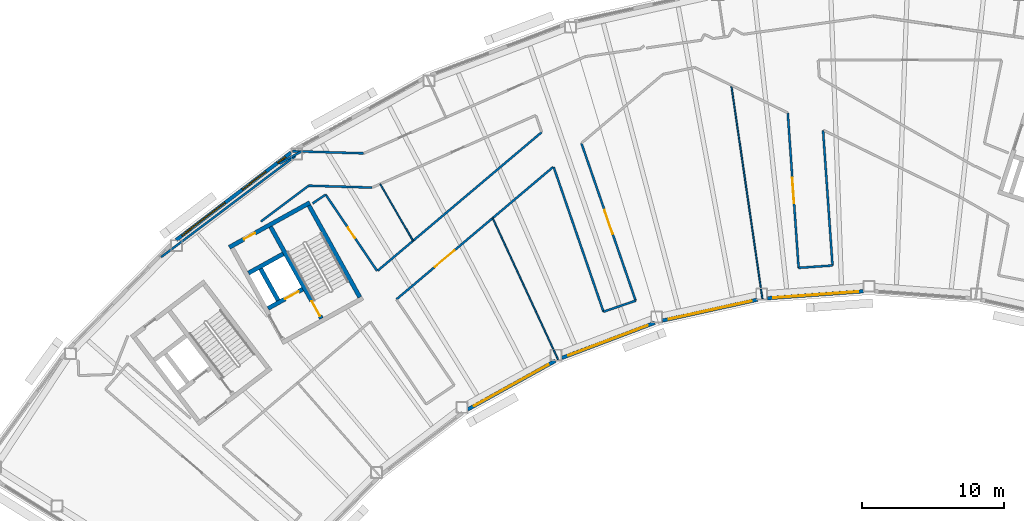
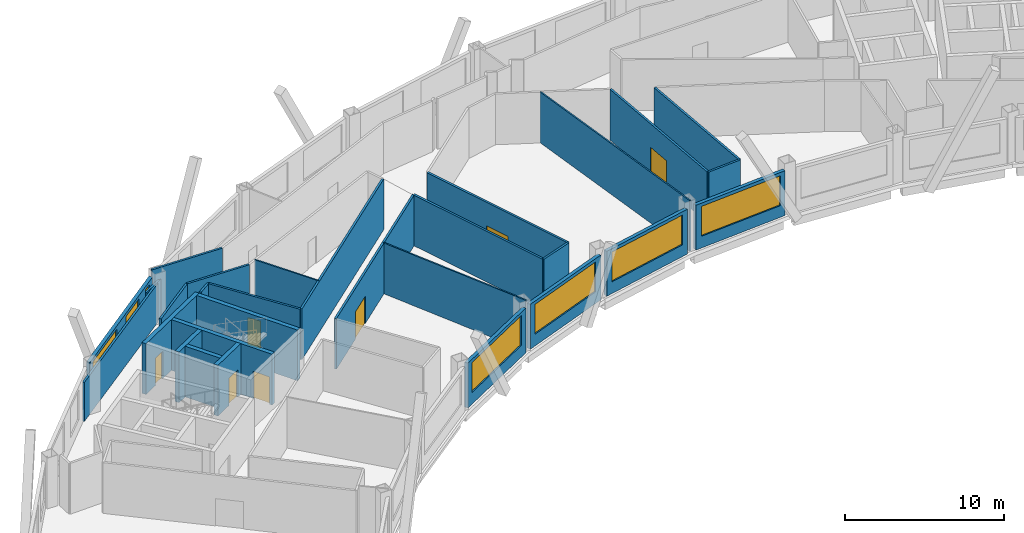
# One storey, part 6 of 14: 29 walls, 7 doors, 7 windows, 14 openings.
"""IFC4 building model written with IfcOpenShell, lengths in metres."""

from ifc_helpers import new_model, si_unit, direction, frame, frame_2d, origin, place, context, subcontext, project, spatial, rectangle, extrude, material, layer, layer_set, type_object, element, fill, save


model = new_model("IFC4")

# Units and contexts
model_context = context("Model", 3, precision=1e-05, world=origin(), true_north=direction((0.0, 1.0)))
body_context = subcontext(model_context, "Body", "Model", "MODEL_VIEW")
ifc_project = project(units=[si_unit("LENGTHUNIT", "METRE"), si_unit("AREAUNIT", "SQUARE_METRE"), si_unit("VOLUMEUNIT", "CUBIC_METRE"), si_unit("PLANEANGLEUNIT", "RADIAN"), si_unit("MASSUNIT", "GRAM", prefix="KILO")], contexts=[model_context])

# Site, building, storey
site_placement = place(None, origin())
site = spatial("IfcSite", under=ifc_project, at=site_placement, CompositionType="ELEMENT")
building_placement = place(site_placement, origin())
building = spatial("IfcBuilding", under=site, at=building_placement, Name="Tuul Gate Civic Tower", CompositionType="ELEMENT")
storey_placement = place(building_placement, frame((0.0, 0.0, 265.199951171875)))
storey = spatial("IfcBuildingStorey", under=building, at=storey_placement, Name="Level 60", CompositionType="ELEMENT", Elevation=265.199951171875)

# Wall, opening, door
ifc_material_1 = material(Name="Concrete C50/60", Category="concrete")
ifc_layer_1 = layer(ifc_material_1, 0.300048828125)
ifc_layer_set_1 = layer_set([ifc_layer_1], Name="Concrete C50/60")
wall_type_1 = type_object("IfcWallType", Name="Core wall C50/60", PredefinedType="SHEAR", material=ifc_layer_set_1)
wall_1_placement = place(storey_placement, frame((-28.94580078125, -8.090087890625, 0.0), z_axis=(0.0, 0.0, 1.0), x_axis=(-0.874629840737, -0.484791338301, 0.0)))
wall_1 = element("IfcWall", 1, at=wall_1_placement, inside=storey, type_object=wall_type_1, Name="Core wall", PredefinedType="SHEAR", context=body_context, shape_type="SweptSolid", body=[
    extrude(rectangle(XDim=2.800048828125, YDim=0.300048828125, at=frame_2d((1.39990234375, 0.0))), origin(), (0.0, 0.0, 1.0), 3.900146484375),
])
opening_1_placement = place(wall_1_placement, frame((0.324951171875, 0.0, 0.0)))
opening_1 = element("IfcOpeningElement", 2, at=opening_1_placement, cuts=wall_1, Name="Opening LD-FF-1", PredefinedType="OPENING", context=body_context, shape_type="SweptSolid", body=[
    extrude(rectangle(XDim=1.10009765625, YDim=2.10009765625, at=frame_2d((0.550048828125, 1.050048828125))), frame((0.0, 0.16015625, 0.0), z_axis=(0.0, -1.0, 0.0), x_axis=(1.0, 0.0, 0.0)), (0.0, 0.0, 1.0), 0.320068359375),
])
ifc_material_2 = material(Name="Stainless steel", Category="steel")
door_type_1 = type_object("IfcDoorType", Name="Landing door", OperationType="DOUBLE_DOOR_SLIDING", PredefinedType="DOOR", material=ifc_material_2)
door_1_placement = place(opening_1_placement, origin())
door_1 = element("IfcDoor", 3, at=door_1_placement, inside=storey, type_object=door_type_1, Name="Fire-fighting lift FF-1 landing door", OperationType="DOUBLE_DOOR_SLIDING", OverallHeight=2.10009765625, OverallWidth=1.10009765625, PredefinedType="DOOR", context=body_context, shape_type="SweptSolid", body=[
    extrude(rectangle(XDim=1.10009765625, YDim=2.10009765625, at=frame_2d((0.550048828125, 1.050048828125))), frame((0.0, 0.02490234375, 0.0), z_axis=(0.0, -1.0, 0.0), x_axis=(1.0, 0.0, 0.0)), (0.0, 0.0, 1.0), 0.050048828125),
])
fill(opening_1, door_1)

# Wall
wall_2_placement = place(storey_placement, frame((-30.327392578125, -5.59716796875, 0.0), z_axis=(0.0, 0.0, 1.0), x_axis=(-0.874629840737, -0.484791338301, 0.0)))
element("IfcWall", 4, at=wall_2_placement, inside=storey, type_object=wall_type_1, Name="Core wall", PredefinedType="SHEAR", context=body_context, shape_type="SweptSolid", body=[
    extrude(rectangle(XDim=2.800048828125, YDim=0.300048828125, at=frame_2d((1.39990234375, 0.0))), origin(), (0.0, 0.0, 1.0), 3.900146484375),
])

# Wall, opening, door
wall_3_placement = place(storey_placement, frame((-28.4443359375, -1.98095703125, 0.0), z_axis=(0.0, 0.0, 1.0), x_axis=(-0.874629909008, -0.484791215132, 0.0)))
wall_3 = element("IfcWall", 5, at=wall_3_placement, inside=storey, type_object=wall_type_1, Name="Core wall", PredefinedType="SHEAR", context=body_context, shape_type="SweptSolid", body=[
    extrude(rectangle(XDim=6.5, YDim=0.300048828125, at=frame_2d((3.25, 0.0))), origin(), (0.0, 0.0, 1.0), 3.900146484375),
])
opening_2_placement = place(wall_3_placement, frame((4.425048828125, 0.0, 0.0)))
opening_2 = element("IfcOpeningElement", 6, at=opening_2_placement, cuts=wall_3, Name="Opening V-D27", PredefinedType="OPENING", context=body_context, shape_type="SweptSolid", body=[
    extrude(rectangle(XDim=0.89990234375, YDim=2.10009765625, at=frame_2d((0.449951171875, 1.050048828125))), frame((0.0, 0.16015625, 0.0), z_axis=(0.0, -1.0, 0.0), x_axis=(1.0, 0.0, 0.0)), (0.0, 0.0, 1.0), 0.320068359375),
])
ifc_material_3 = material(Name="Timber door leaf", Category="wood")
door_type_2 = type_object("IfcDoorType", Name="Door D09", OperationType="NOTDEFINED", PredefinedType="DOOR", material=ifc_material_3)
door_2_placement = place(opening_2_placement, origin())
door_2 = element("IfcDoor", 7, at=door_2_placement, inside=storey, type_object=door_type_2, Name="Door V-D27", OperationType="SINGLE_SWING_LEFT", OverallHeight=2.10009765625, OverallWidth=0.89990234375, PredefinedType="DOOR", context=body_context, shape_type="SweptSolid", body=[
    extrude(rectangle(XDim=0.89990234375, YDim=2.10009765625, at=frame_2d((0.449951171875, 1.050048828125))), frame((0.0, 0.02490234375, 0.0), z_axis=(0.0, -1.0, 0.0), x_axis=(1.0, 0.0, 0.0)), (0.0, 0.0, 1.0), 0.050048828125),
])
fill(opening_2, door_2)

# Wall
wall_4_placement = place(storey_placement, frame((-24.91552734375, -8.6572265625, 0.0), z_axis=(0.0, 0.0, 1.0), x_axis=(-0.484777133038, 0.874637714304, 0.0)))
element("IfcWall", 8, at=wall_4_placement, inside=storey, type_object=wall_type_1, Name="Core wall", PredefinedType="SHEAR", context=body_context, shape_type="SweptSolid", body=[
    extrude(rectangle(XDim=7.400146484375, YDim=0.300048828125, at=frame_2d((3.7001953125, 0.0))), origin(), (0.0, 0.0, 1.0), 3.900146484375),
])

# Wall, opening, door
wall_5_placement = place(storey_placement, frame((-27.626953125, -10.16015625, 0.0), z_axis=(0.0, 0.0, 1.0), x_axis=(-0.484751894226, 0.874651702704, 0.0)))
wall_5 = element("IfcWall", 9, at=wall_5_placement, inside=storey, type_object=wall_type_1, Name="Core wall", PredefinedType="SHEAR", context=body_context, shape_type="SweptSolid", body=[
    extrude(rectangle(XDim=7.39990234375, YDim=0.300048828125, at=frame_2d((3.699951171875, 0.0))), origin(), (0.0, 0.0, 1.0), 3.900146484375),
])
opening_3_placement = place(wall_5_placement, frame((0.199951171875, 0.0, 0.0)))
opening_3 = element("IfcOpeningElement", 10, at=opening_3_placement, cuts=wall_5, Name="Opening SD-ST-2", PredefinedType="OPENING", context=body_context, shape_type="SweptSolid", body=[
    extrude(rectangle(XDim=1.199951171875, YDim=2.10009765625, at=frame_2d((0.60009765625, 1.050048828125))), frame((0.0, 0.16015625, 0.0), z_axis=(0.0, -1.0, 0.0), x_axis=(1.0, 0.0, 0.0)), (0.0, 0.0, 1.0), 0.320068359375),
])
ifc_material_4 = material(Name="Steel", Category="steel")
door_type_3 = type_object("IfcDoorType", Name="Stair door", OperationType="NOTDEFINED", PredefinedType="DOOR", material=ifc_material_4)
door_3_placement = place(opening_3_placement, origin())
door_3 = element("IfcDoor", 11, at=door_3_placement, inside=storey, type_object=door_type_3, Name="Stair door ST-2", OperationType="SINGLE_SWING_LEFT", OverallHeight=2.10009765625, OverallWidth=1.199951171875, PredefinedType="DOOR", context=body_context, shape_type="SweptSolid", body=[
    extrude(rectangle(XDim=1.199951171875, YDim=2.10009765625, at=frame_2d((0.60009765625, 1.050048828125))), frame((0.0, 0.02490234375, 0.0), z_axis=(0.0, -1.0, 0.0), x_axis=(1.0, 0.0, 0.0)), (0.0, 0.0, 1.0), 0.050048828125),
])
fill(opening_3, door_3)

# Walls
wall_6_placement = place(storey_placement, frame((-30.680419921875, -8.8798828125, 0.0), z_axis=(0.0, 0.0, 1.0), x_axis=(-0.484724115216, 0.874667097888, 0.0)))
element("IfcWall", 12, at=wall_6_placement, inside=storey, type_object=wall_type_1, Name="Core wall", PredefinedType="SHEAR", context=body_context, shape_type="SweptSolid", body=[
    extrude(rectangle(XDim=2.550048828125, YDim=0.300048828125, at=frame_2d((1.27490234375, 0.0))), origin(), (0.0, 0.0, 1.0), 3.900146484375),
])
ifc_material_5 = material(Name="Gypsum board partition")
ifc_layer_2 = layer(ifc_material_5, 0.14990234375)
ifc_layer_set_2 = layer_set([ifc_layer_2], Name="Gypsum board partition")
wall_type_2 = type_object("IfcWallType", Name="Corridor wall P150", PredefinedType="PARTITIONING", material=ifc_layer_set_2)
wall_7_placement = place(storey_placement, frame((-23.667724609375, -6.7958984375, 0.0), z_axis=(0.0, 0.0, 1.0), x_axis=(0.76403891286, 0.645170163317, 0.0)))
element("IfcWall", 13, at=wall_7_placement, inside=storey, type_object=wall_type_2, Name="p031", PredefinedType="PARTITIONING", context=body_context, shape_type="SweptSolid", body=[
    extrude(rectangle(XDim=15.15966796875, YDim=0.14990234375, at=frame_2d((7.579833984375, 0.0))), origin(), (0.0, 0.0, 1.0), 3.900146484375),
])
wall_8_placement = place(storey_placement, frame((-29.652587890625, 1.65185546875, 0.0), z_axis=(0.0, 0.0, 1.0), x_axis=(0.999549719326, -0.03000597598, 0.0)))
element("IfcWall", 14, at=wall_8_placement, inside=storey, type_object=wall_type_2, Name="p034", PredefinedType="PARTITIONING", context=body_context, shape_type="SweptSolid", body=[
    extrude(rectangle(XDim=5.011962890625, YDim=0.14990234375, at=frame_2d((2.505859375, 0.0))), origin(), (0.0, 0.0, 1.0), 3.900146484375),
])

# Wall, opening, door
wall_9_placement = place(storey_placement, frame((5.298583984375, 4.349365234375, 0.0), z_axis=(0.0, 0.0, 1.0), x_axis=(0.06974622138, -0.997564767122, 0.0)))
wall_9 = element("IfcWall", 15, at=wall_9_placement, inside=storey, type_object=wall_type_2, Name="p065", PredefinedType="PARTITIONING", context=body_context, shape_type="SweptSolid", body=[
    extrude(rectangle(XDim=10.959716796875, YDim=0.14990234375, at=frame_2d((5.47998046875, 0.0))), origin(), (0.0, 0.0, 1.0), 3.900146484375),
])
opening_4_placement = place(wall_9_placement, frame((4.579833984375, 0.0, 0.0)))
opening_4 = element("IfcOpeningElement", 16, at=opening_4_placement, cuts=wall_9, Name="Opening V-D12", PredefinedType="OPENING", context=body_context, shape_type="SweptSolid", body=[
    extrude(rectangle(XDim=1.800048828125, YDim=2.10009765625, at=frame_2d((0.89990234375, 1.050048828125))), frame((0.0, 0.0849609375, 0.0), z_axis=(0.0, -1.0, 0.0), x_axis=(1.0, 0.0, 0.0)), (0.0, 0.0, 1.0), 0.169921875),
])
ifc_material_6 = material(Name="Timber door leaf, double", Category="wood")
door_type_4 = type_object("IfcDoorType", Name="Door D18", OperationType="DOUBLE_DOOR_SINGLE_SWING", PredefinedType="DOOR", material=ifc_material_6)
door_4_placement = place(opening_4_placement, frame((1.800048828125, 0.0, 0.0), z_axis=(0.0, 0.0, 1.0), x_axis=(-1.0, 0.0, 0.0)))
door_4 = element("IfcDoor", 17, at=door_4_placement, inside=storey, type_object=door_type_4, Name="Door V-D12", OperationType="DOUBLE_DOOR_SINGLE_SWING", OverallHeight=2.10009765625, OverallWidth=1.800048828125, PredefinedType="DOOR", context=body_context, shape_type="SweptSolid", body=[
    extrude(rectangle(XDim=1.800048828125, YDim=2.10009765625, at=frame_2d((0.900146484375, 1.050048828125))), frame((0.0, 0.02490234375, 0.0), z_axis=(0.0, -1.0, 0.0), x_axis=(1.0, 0.0, 0.0)), (0.0, 0.0, 1.0), 0.050048828125),
])
fill(opening_4, door_4)

# Walls
wall_10_placement = place(storey_placement, frame((6.063720703125, -6.583984375, 0.0), z_axis=(0.0, 0.0, 1.0), x_axis=(0.997567042248, 0.069713673122, 0.0)))
element("IfcWall", 18, at=wall_10_placement, inside=storey, type_object=wall_type_2, Name="p066", PredefinedType="PARTITIONING", context=body_context, shape_type="SweptSolid", body=[
    extrude(rectangle(XDim=2.39892578125, YDim=0.14990234375, at=frame_2d((1.199462890625, 0.0))), origin(), (0.0, 0.0, 1.0), 3.900146484375),
])
wall_11_placement = place(storey_placement, frame((7.791015625, 3.109619140625, 0.0), z_axis=(0.0, 0.0, 1.0), x_axis=(0.069771628501, -0.99756299042, 0.0)))
element("IfcWall", 19, at=wall_11_placement, inside=storey, type_object=wall_type_2, Name="p068", PredefinedType="PARTITIONING", context=body_context, shape_type="SweptSolid", body=[
    extrude(rectangle(XDim=9.549072265625, YDim=0.14990234375, at=frame_2d((4.7744140625, 0.0))), origin(), (0.0, 0.0, 1.0), 3.900146484375),
])

# Wall, opening, door
wall_12_placement = place(storey_placement, frame((-22.321044921875, -8.800048828125, 0.0), z_axis=(0.0, 0.0, 1.0), x_axis=(0.764036380791, 0.645173161894, 0.0)))
wall_12 = element("IfcWall", 20, at=wall_12_placement, inside=storey, type_object=wall_type_2, Name="p070", PredefinedType="PARTITIONING", context=body_context, shape_type="SweptSolid", body=[
    extrude(rectangle(XDim=14.478271484375, YDim=0.14990234375, at=frame_2d((7.2392578125, 0.0))), origin(), (0.0, 0.0, 1.0), 3.900146484375),
])
opening_5_placement = place(wall_12_placement, frame((3.53857421875, 0.0, 0.0)))
opening_5 = element("IfcOpeningElement", 21, at=opening_5_placement, cuts=wall_12, Name="Opening V-D14", PredefinedType="OPENING", context=body_context, shape_type="SweptSolid", body=[
    extrude(rectangle(XDim=1.800048828125, YDim=2.10009765625, at=frame_2d((0.89990234375, 1.050048828125))), frame((0.0, 0.0849609375, 0.0), z_axis=(0.0, -1.0, 0.0), x_axis=(1.0, 0.0, 0.0)), (0.0, 0.0, 1.0), 0.169921875),
])
door_5_placement = place(opening_5_placement, frame((1.800048828125, 0.0, 0.0), z_axis=(0.0, 0.0, 1.0), x_axis=(-1.0, 0.0, 0.0)))
door_5 = element("IfcDoor", 22, at=door_5_placement, inside=storey, type_object=door_type_4, Name="Door V-D14", OperationType="DOUBLE_DOOR_SINGLE_SWING", OverallHeight=2.10009765625, OverallWidth=1.800048828125, PredefinedType="DOOR", context=body_context, shape_type="SweptSolid", body=[
    extrude(rectangle(XDim=1.800048828125, YDim=2.10009765625, at=frame_2d((0.900146484375, 1.050048828125))), frame((0.0, 0.02490234375, 0.0), z_axis=(0.0, -1.0, 0.0), x_axis=(1.0, 0.0, 0.0)), (0.0, 0.0, 1.0), 0.050048828125),
])
fill(opening_5, door_5)

# Walls
wall_13_placement = place(storey_placement, frame((-11.227294921875, 0.5322265625, 0.0), z_axis=(0.0, 0.0, 1.0), x_axis=(0.325569251577, -0.94551819783, 0.0)))
element("IfcWall", 23, at=wall_13_placement, inside=storey, type_object=wall_type_2, Name="p073", PredefinedType="PARTITIONING", context=body_context, shape_type="SweptSolid", body=[
    extrude(rectangle(XDim=10.80224609375, YDim=0.14990234375, at=frame_2d((5.401123046875, 0.0))), origin(), (0.0, 0.0, 1.0), 3.900146484375),
])
wall_14_placement = place(storey_placement, frame((-7.709716796875, -9.681640625, 0.0), z_axis=(0.0, 0.0, 1.0), x_axis=(0.945523207391, 0.325554702448, 0.0)))
element("IfcWall", 24, at=wall_14_placement, inside=storey, type_object=wall_type_2, Name="p074", PredefinedType="PARTITIONING", context=body_context, shape_type="SweptSolid", body=[
    extrude(rectangle(XDim=2.39892578125, YDim=0.14990234375, at=frame_2d((1.199462890625, 0.0))), origin(), (0.0, 0.0, 1.0), 3.900146484375),
])

# Wall, opening, door
wall_15_placement = place(storey_placement, frame((-9.265869140625, 2.20751953125, 0.0), z_axis=(0.0, 0.0, 1.0), x_axis=(0.325576903669, -0.945515562959, 0.0)))
wall_15 = element("IfcWall", 25, at=wall_15_placement, inside=storey, type_object=wall_type_2, Name="p075", PredefinedType="PARTITIONING", context=body_context, shape_type="SweptSolid", body=[
    extrude(rectangle(XDim=11.74755859375, YDim=0.14990234375, at=frame_2d((5.873779296875, 0.0))), origin(), (0.0, 0.0, 1.0), 3.900146484375),
])
opening_6_placement = place(wall_15_placement, frame((4.9736328125, 0.0, 0.0)))
opening_6 = element("IfcOpeningElement", 26, at=opening_6_placement, cuts=wall_15, Name="Opening V-D13", PredefinedType="OPENING", context=body_context, shape_type="SweptSolid", body=[
    extrude(rectangle(XDim=1.800048828125, YDim=2.10009765625, at=frame_2d((0.89990234375, 1.050048828125))), frame((0.0, 0.0849609375, 0.0), z_axis=(0.0, -1.0, 0.0), x_axis=(1.0, 0.0, 0.0)), (0.0, 0.0, 1.0), 0.169921875),
])
door_6_placement = place(opening_6_placement, origin())
door_6 = element("IfcDoor", 27, at=door_6_placement, inside=storey, type_object=door_type_4, Name="Door V-D13", OperationType="DOUBLE_DOOR_SINGLE_SWING", OverallHeight=2.10009765625, OverallWidth=1.800048828125, PredefinedType="DOOR", context=body_context, shape_type="SweptSolid", body=[
    extrude(rectangle(XDim=1.800048828125, YDim=2.10009765625, at=frame_2d((0.89990234375, 1.050048828125))), frame((0.0, 0.02490234375, 0.0), z_axis=(0.0, -1.0, 0.0), x_axis=(1.0, 0.0, 0.0)), (0.0, 0.0, 1.0), 0.050048828125),
])
fill(opening_6, door_6)

wall_16_placement = place(storey_placement, frame((-27.324951171875, -1.41357421875, 0.0), z_axis=(0.0, 0.0, 1.0), x_axis=(0.559181972212, -0.829044945678, 0.0)))
wall_16 = element("IfcWall", 28, at=wall_16_placement, inside=storey, type_object=wall_type_2, Name="p080", PredefinedType="PARTITIONING", context=body_context, shape_type="SweptSolid", body=[
    extrude(rectangle(XDim=6.487548828125, YDim=0.14990234375, at=frame_2d((3.24365234375, 0.0))), origin(), (0.0, 0.0, 1.0), 3.900146484375),
])
opening_7_placement = place(wall_16_placement, frame((2.793701171875, 0.0, 0.0)))
opening_7 = element("IfcOpeningElement", 29, at=opening_7_placement, cuts=wall_16, Name="Opening V-D23", PredefinedType="OPENING", context=body_context, shape_type="SweptSolid", body=[
    extrude(rectangle(XDim=0.89990234375, YDim=2.10009765625, at=frame_2d((0.449951171875, 1.050048828125))), frame((0.0, 0.0849609375, 0.0), z_axis=(0.0, -1.0, 0.0), x_axis=(1.0, 0.0, 0.0)), (0.0, 0.0, 1.0), 0.169921875),
])
door_7_placement = place(opening_7_placement, frame((0.89990234375, 0.0, 0.0), z_axis=(0.0, 0.0, 1.0), x_axis=(-1.0, 0.0, 0.0)))
door_7 = element("IfcDoor", 30, at=door_7_placement, inside=storey, type_object=door_type_2, Name="Door V-D23", OperationType="SINGLE_SWING_LEFT", OverallHeight=2.10009765625, OverallWidth=0.89990234375, PredefinedType="DOOR", context=body_context, shape_type="SweptSolid", body=[
    extrude(rectangle(XDim=0.89990234375, YDim=2.10009765625, at=frame_2d((0.449951171875, 1.050048828125))), frame((0.0, 0.02490234375, 0.0), z_axis=(0.0, -1.0, 0.0), x_axis=(1.0, 0.0, 0.0)), (0.0, 0.0, 1.0), 0.050048828125),
])
fill(opening_7, door_7)

# Walls
wall_17_placement = place(storey_placement, frame((-31.898193359375, -3.31201171875, 0.0), z_axis=(0.0, 0.0, 1.0), x_axis=(0.799804939992, 0.600259991974, 0.0)))
element("IfcWall", 31, at=wall_17_placement, inside=storey, type_object=wall_type_2, Name="p100", PredefinedType="PARTITIONING", context=body_context, shape_type="SweptSolid", body=[
    extrude(rectangle(XDim=4.206298828125, YDim=0.14990234375, at=frame_2d((2.10302734375, 0.0))), origin(), (0.0, 0.0, 1.0), 3.900146484375),
])
wall_18_placement = place(storey_placement, frame((-28.521240234375, -0.783203125, 0.0), z_axis=(0.0, 0.0, 1.0), x_axis=(0.999549762781, -0.030004528392, 0.0)))
element("IfcWall", 32, at=wall_18_placement, inside=storey, type_object=wall_type_2, Name="p101", PredefinedType="PARTITIONING", context=body_context, shape_type="SweptSolid", body=[
    extrude(rectangle(XDim=4.467041015625, YDim=0.14990234375, at=frame_2d((2.2333984375, 0.0))), origin(), (0.0, 0.0, 1.0), 3.900146484375),
])
wall_19_placement = place(storey_placement, frame((-28.24365234375, -2.03271484375, 0.0), z_axis=(0.0, 0.0, 1.0), x_axis=(0.828950894208, 0.559321387927, 0.0)))
element("IfcWall", 33, at=wall_19_placement, inside=storey, type_object=wall_type_2, Name="p102", PredefinedType="PARTITIONING", context=body_context, shape_type="SweptSolid", body=[
    extrude(rectangle(XDim=1.107421875, YDim=0.14990234375, at=frame_2d((0.5537109375, 0.0))), origin(), (0.0, 0.0, 1.0), 3.900146484375),
])
ifc_material_7 = material(Name="Gypsum board partition")
ifc_layer_3 = layer(ifc_material_7, 0.14990234375)
ifc_layer_set_3 = layer_set([ifc_layer_3], Name="Gypsum board partition")
wall_type_3 = type_object("IfcWallType", Name="Corridor wall P150 3000 HIGH", PredefinedType="PARTITIONING", material=ifc_layer_set_3)
wall_20_placement = place(storey_placement, frame((-38.935546875, -5.822021484375, 0.0), z_axis=(0.0, 0.0, 1.0), x_axis=(0.798619297232, 0.601836537682, 0.0)))
element("IfcWall", 34, at=wall_20_placement, inside=storey, type_object=wall_type_3, Name="p035", PredefinedType="PARTITIONING", context=body_context, shape_type="SweptSolid", body=[
    extrude(rectangle(XDim=11.858154296875, YDim=0.14990234375, at=frame_2d((5.92919921875, 0.0))), origin(), (0.0, 0.0, 1.0), 3.0),
])
wall_21_placement = place(storey_placement, frame((-30.58740234375, 0.777099609375, 0.0), z_axis=(0.0, 0.0, 1.0), x_axis=(0.874598545717, 0.484847794498, 0.0)))
element("IfcWall", 35, at=wall_21_placement, inside=storey, type_object=wall_type_3, Name="p037", PredefinedType="PARTITIONING", context=body_context, shape_type="SweptSolid", body=[
    extrude(rectangle(XDim=1.825439453125, YDim=0.14990234375, at=frame_2d((0.91259765625, 0.0))), origin(), (0.0, 0.0, 1.0), 3.0),
])

# Wall, openings, windows
ifc_material_8 = material(Name="Precast concrete C40/50", Category="concrete")
ifc_layer_4 = layer(ifc_material_8, 0.25)
ifc_layer_set_4 = layer_set([ifc_layer_4], Name="Precast concrete C40/50")
wall_type_4 = type_object("IfcWallType", Name="External wall", PredefinedType="STANDARD", material=ifc_layer_set_4)
wall_22_placement = place(storey_placement, frame((-29.77099609375, 1.555419921875, 0.0), z_axis=(0.0, 0.0, 1.0), x_axis=(-0.795654969417, -0.605750088437, 0.0)))
wall_22 = element("IfcWall", 36, at=wall_22_placement, inside=storey, type_object=wall_type_4, Name="External wall", PredefinedType="STANDARD", context=body_context, shape_type="SweptSolid", body=[
    extrude(rectangle(XDim=10.189697265625, YDim=0.25, at=frame_2d((5.0947265625, 0.0))), origin(), (0.0, 0.0, 1.0), 3.449951171875),
])
opening_8_placement = place(wall_22_placement, frame((5.843994140625, 0.0, 0.89990234375)))
opening_8 = element("IfcOpeningElement", 37, at=opening_8_placement, cuts=wall_22, Name="Opening W22", PredefinedType="OPENING", context=body_context, shape_type="SweptSolid", body=[
    extrude(rectangle(XDim=3.85009765625, YDim=2.300048828125, at=frame_2d((1.925048828125, 1.14990234375))), frame((0.0, 0.135009765625, 0.0), z_axis=(0.0, -1.0, 0.0), x_axis=(1.0, 0.0, 0.0)), (0.0, 0.0, 1.0), 0.27001953125),
])
opening_9_placement = place(wall_22_placement, frame((0.507080078125, 0.0, 0.89990234375)))
opening_9 = element("IfcOpeningElement", 38, at=opening_9_placement, cuts=wall_22, Name="Opening W70", PredefinedType="OPENING", context=body_context, shape_type="SweptSolid", body=[
    extrude(rectangle(XDim=0.699951171875, YDim=2.300048828125, at=frame_2d((0.35009765625, 1.14990234375))), frame((0.0, 0.135009765625, 0.0), z_axis=(0.0, -1.0, 0.0), x_axis=(1.0, 0.0, 0.0)), (0.0, 0.0, 1.0), 0.27001953125),
])
opening_10_placement = place(wall_22_placement, frame((2.217529296875, 0.0, 0.89990234375)))
opening_10 = element("IfcOpeningElement", 39, at=opening_10_placement, cuts=wall_22, Name="Opening W40", PredefinedType="OPENING", context=body_context, shape_type="SweptSolid", body=[
    extrude(rectangle(XDim=2.10009765625, YDim=2.300048828125, at=frame_2d((1.050048828125, 1.14990234375))), frame((0.0, 0.135009765625, 0.0), z_axis=(0.0, -1.0, 0.0), x_axis=(1.0, 0.0, 0.0)), (0.0, 0.0, 1.0), 0.27001953125),
])
ifc_material_9 = material(Name="Glass", Category="glass")
window_type_1 = type_object("IfcWindowType", Name="Window 2100 x 2300", PartitioningType="SINGLE_PANEL", PredefinedType="WINDOW", material=ifc_material_9)
window_1_placement = place(opening_10_placement, origin())
window_1 = element("IfcWindow", 40, at=window_1_placement, inside=storey, type_object=window_type_1, Name="Window", OverallHeight=2.300048828125, OverallWidth=2.10009765625, PartitioningType="SINGLE_PANEL", PredefinedType="WINDOW", context=body_context, shape_type="SweptSolid", body=[
    extrude(rectangle(XDim=2.10009765625, YDim=2.300048828125, at=frame_2d((1.050048828125, 1.14990234375))), frame((0.0, 0.030029296875, 0.0), z_axis=(0.0, -1.0, 0.0), x_axis=(1.0, 0.0, 0.0)), (0.0, 0.0, 1.0), 0.06005859375),
])
fill(opening_10, window_1)
ifc_material_10 = material(Name="Glass", Category="glass")
window_type_2 = type_object("IfcWindowType", Name="Window 700 x 2300", PartitioningType="SINGLE_PANEL", PredefinedType="WINDOW", material=ifc_material_10)
window_2_placement = place(opening_9_placement, origin())
window_2 = element("IfcWindow", 41, at=window_2_placement, inside=storey, type_object=window_type_2, Name="Window", OverallHeight=2.300048828125, OverallWidth=0.699951171875, PartitioningType="SINGLE_PANEL", PredefinedType="WINDOW", context=body_context, shape_type="SweptSolid", body=[
    extrude(rectangle(XDim=0.699951171875, YDim=2.300048828125, at=frame_2d((0.35009765625, 1.14990234375))), frame((0.0, 0.030029296875, 0.0), z_axis=(0.0, -1.0, 0.0), x_axis=(1.0, 0.0, 0.0)), (0.0, 0.0, 1.0), 0.06005859375),
])
fill(opening_9, window_2)
ifc_material_11 = material(Name="Glass", Category="glass")
window_type_3 = type_object("IfcWindowType", Name="Window W22 3850 x 2300", PartitioningType="SINGLE_PANEL", PredefinedType="WINDOW", material=ifc_material_11)
window_3_placement = place(opening_8_placement, origin())
window_3 = element("IfcWindow", 42, at=window_3_placement, inside=storey, type_object=window_type_3, Name="Window", OverallHeight=2.300048828125, OverallWidth=3.85009765625, PartitioningType="SINGLE_PANEL", PredefinedType="WINDOW", context=body_context, shape_type="SweptSolid", body=[
    extrude(rectangle(XDim=3.85009765625, YDim=2.300048828125, at=frame_2d((1.925048828125, 1.14990234375))), frame((0.0, 0.030029296875, 0.0), z_axis=(0.0, -1.0, 0.0), x_axis=(1.0, 0.0, 0.0)), (0.0, 0.0, 1.0), 0.06005859375),
])
fill(opening_8, window_3)

# Wall, opening, window
wall_23_placement = place(storey_placement, frame((-17.2958984375, -16.580322265625, 0.0), z_axis=(0.0, 0.0, 1.0), x_axis=(0.87461248151, 0.484822655398, 0.0)))
wall_23 = element("IfcWall", 43, at=wall_23_placement, inside=storey, type_object=wall_type_4, Name="External wall", PredefinedType="STANDARD", context=body_context, shape_type="SweptSolid", body=[
    extrude(rectangle(XDim=7.07763671875, YDim=0.25, at=frame_2d((3.538818359375, 0.0))), origin(), (0.0, 0.0, 1.0), 3.449951171875),
])
opening_11_placement = place(wall_23_placement, frame((0.51904296875, 0.0, 0.89990234375)))
opening_11 = element("IfcOpeningElement", 44, at=opening_11_placement, cuts=wall_23, Name="Opening W26", PredefinedType="OPENING", context=body_context, shape_type="SweptSolid", body=[
    extrude(rectangle(XDim=6.0, YDim=2.300048828125, at=frame_2d((3.0, 1.14990234375))), frame((0.0, 0.135009765625, 0.0), z_axis=(0.0, -1.0, 0.0), x_axis=(1.0, 0.0, 0.0)), (0.0, 0.0, 1.0), 0.27001953125),
])
ifc_material_12 = material(Name="Glass", Category="glass")
window_type_4 = type_object("IfcWindowType", Name="Window W26 6000 x 2300", PartitioningType="SINGLE_PANEL", PredefinedType="WINDOW", material=ifc_material_12)
window_4_placement = place(opening_11_placement, origin())
window_4 = element("IfcWindow", 45, at=window_4_placement, inside=storey, type_object=window_type_4, Name="Window", OverallHeight=2.300048828125, OverallWidth=6.0, PartitioningType="SINGLE_PANEL", PredefinedType="WINDOW", context=body_context, shape_type="SweptSolid", body=[
    extrude(rectangle(XDim=6.0, YDim=2.300048828125, at=frame_2d((3.0, 1.14990234375))), frame((0.0, 0.030029296875, 0.0), z_axis=(0.0, -1.0, 0.0), x_axis=(1.0, 0.0, 0.0)), (0.0, 0.0, 1.0), 0.06005859375),
])
fill(opening_11, window_4)

wall_24_placement = place(storey_placement, frame((-10.656005859375, -12.94580078125, 0.0), z_axis=(0.0, 0.0, 1.0), x_axis=(0.935331393711, 0.353772785752, 0.0)))
wall_24 = element("IfcWall", 46, at=wall_24_placement, inside=storey, type_object=wall_type_4, Name="External wall", PredefinedType="STANDARD", context=body_context, shape_type="SweptSolid", body=[
    extrude(rectangle(XDim=7.014892578125, YDim=0.25, at=frame_2d((3.50732421875, 0.0))), origin(), (0.0, 0.0, 1.0), 3.449951171875),
])
opening_12_placement = place(wall_24_placement, frame((0.49169921875, 0.0, 0.89990234375)))
opening_12 = element("IfcOpeningElement", 47, at=opening_12_placement, cuts=wall_24, Name="Opening W26", PredefinedType="OPENING", context=body_context, shape_type="SweptSolid", body=[
    extrude(rectangle(XDim=6.0, YDim=2.300048828125, at=frame_2d((3.0, 1.14990234375))), frame((0.0, 0.135009765625, 0.0), z_axis=(0.0, -1.0, 0.0), x_axis=(1.0, 0.0, 0.0)), (0.0, 0.0, 1.0), 0.27001953125),
])
window_5_placement = place(opening_12_placement, origin())
window_5 = element("IfcWindow", 48, at=window_5_placement, inside=storey, type_object=window_type_4, Name="Window", OverallHeight=2.300048828125, OverallWidth=6.0, PartitioningType="SINGLE_PANEL", PredefinedType="WINDOW", context=body_context, shape_type="SweptSolid", body=[
    extrude(rectangle(XDim=6.0, YDim=2.300048828125, at=frame_2d((3.0, 1.14990234375))), frame((0.0, 0.030029296875, 0.0), z_axis=(0.0, -1.0, 0.0), x_axis=(1.0, 0.0, 0.0)), (0.0, 0.0, 1.0), 0.06005859375),
])
fill(opening_12, window_5)

wall_25_placement = place(storey_placement, frame((-3.554931640625, -10.308349609375, 0.0), z_axis=(0.0, 0.0, 1.0), x_axis=(0.976589118116, 0.215113212929, 0.0)))
wall_25 = element("IfcWall", 49, at=wall_25_placement, inside=storey, type_object=wall_type_4, Name="External wall", PredefinedType="STANDARD", context=body_context, shape_type="SweptSolid", body=[
    extrude(rectangle(XDim=6.8720703125, YDim=0.25, at=frame_2d((3.43603515625, 0.0))), origin(), (0.0, 0.0, 1.0), 3.449951171875),
])
opening_13_placement = place(wall_25_placement, frame((0.4580078125, 0.0, 0.89990234375)))
opening_13 = element("IfcOpeningElement", 50, at=opening_13_placement, cuts=wall_25, Name="Opening W26", PredefinedType="OPENING", context=body_context, shape_type="SweptSolid", body=[
    extrude(rectangle(XDim=6.0, YDim=2.300048828125, at=frame_2d((3.0, 1.14990234375))), frame((0.0, 0.135009765625, 0.0), z_axis=(0.0, -1.0, 0.0), x_axis=(1.0, 0.0, 0.0)), (0.0, 0.0, 1.0), 0.27001953125),
])
window_6_placement = place(opening_13_placement, origin())
window_6 = element("IfcWindow", 51, at=window_6_placement, inside=storey, type_object=window_type_4, Name="Window", OverallHeight=2.300048828125, OverallWidth=6.0, PartitioningType="SINGLE_PANEL", PredefinedType="WINDOW", context=body_context, shape_type="SweptSolid", body=[
    extrude(rectangle(XDim=6.0, YDim=2.300048828125, at=frame_2d((3.0, 1.14990234375))), frame((0.0, 0.030029296875, 0.0), z_axis=(0.0, -1.0, 0.0), x_axis=(1.0, 0.0, 0.0)), (0.0, 0.0, 1.0), 0.06005859375),
])
fill(opening_13, window_6)

wall_26_placement = place(storey_placement, frame((3.85888671875, -8.727294921875, 0.0), z_axis=(0.0, 0.0, 1.0), x_axis=(0.997384983798, 0.072271668677, 0.0)))
wall_26 = element("IfcWall", 52, at=wall_26_placement, inside=storey, type_object=wall_type_4, Name="External wall", PredefinedType="STANDARD", context=body_context, shape_type="SweptSolid", body=[
    extrude(rectangle(XDim=6.7900390625, YDim=0.25, at=frame_2d((3.39501953125, 0.0))), origin(), (0.0, 0.0, 1.0), 3.449951171875),
])
opening_14_placement = place(wall_26_placement, frame((0.41845703125, 0.0, 0.89990234375)))
opening_14 = element("IfcOpeningElement", 53, at=opening_14_placement, cuts=wall_26, Name="Opening W26", PredefinedType="OPENING", context=body_context, shape_type="SweptSolid", body=[
    extrude(rectangle(XDim=6.0, YDim=2.300048828125, at=frame_2d((3.0, 1.14990234375))), frame((0.0, 0.135009765625, 0.0), z_axis=(0.0, -1.0, 0.0), x_axis=(1.0, 0.0, 0.0)), (0.0, 0.0, 1.0), 0.27001953125),
])
window_7_placement = place(opening_14_placement, origin())
window_7 = element("IfcWindow", 54, at=window_7_placement, inside=storey, type_object=window_type_4, Name="Window", OverallHeight=2.300048828125, OverallWidth=6.0, PartitioningType="SINGLE_PANEL", PredefinedType="WINDOW", context=body_context, shape_type="SweptSolid", body=[
    extrude(rectangle(XDim=6.0, YDim=2.300048828125, at=frame_2d((3.0, 1.14990234375))), frame((0.0, 0.030029296875, 0.0), z_axis=(0.0, -1.0, 0.0), x_axis=(1.0, 0.0, 0.0)), (0.0, 0.0, 1.0), 0.06005859375),
])
fill(opening_14, window_7)

# Walls
ifc_material_13 = material(Name="Gypsum board partition")
ifc_layer_5 = layer(ifc_material_13, 0.10009765625)
ifc_layer_set_5 = layer_set([ifc_layer_5], Name="Gypsum board partition")
wall_type_5 = type_object("IfcWallType", Name="Partition P100", PredefinedType="PARTITIONING", material=ifc_layer_set_5)
wall_27_placement = place(storey_placement, frame((1.31298828125, 6.306884765625, 0.0), z_axis=(0.0, 0.0, 1.0), x_axis=(0.144092608408, -0.989564207216, 0.0)))
element("IfcWall", 55, at=wall_27_placement, inside=storey, type_object=wall_type_5, Name="p016", PredefinedType="PARTITIONING", context=body_context, shape_type="SweptSolid", body=[
    extrude(rectangle(XDim=15.2236328125, YDim=0.10009765625, at=frame_2d((7.61181640625, 0.0))), origin(), (0.0, 0.0, 1.0), 3.900146484375),
])
wall_28_placement = place(storey_placement, frame((-15.539306640625, -3.072998046875, 0.0), z_axis=(0.0, 0.0, 1.0), x_axis=(0.420281346935, -0.907393844711, 0.0)))
element("IfcWall", 56, at=wall_28_placement, inside=storey, type_object=wall_type_5, Name="p027", PredefinedType="PARTITIONING", context=body_context, shape_type="SweptSolid", body=[
    extrude(rectangle(XDim=10.995849609375, YDim=0.10009765625, at=frame_2d((5.498046875, 0.0))), origin(), (0.0, 0.0, 1.0), 3.900146484375),
])
wall_29_placement = place(storey_placement, frame((-23.4736328125, -0.660400390625, 0.0), z_axis=(0.0, 0.0, 1.0), x_axis=(0.499962560542, -0.866047018387, 0.0)))
element("IfcWall", 57, at=wall_29_placement, inside=storey, type_object=wall_type_5, Name="p098", PredefinedType="PARTITIONING", context=body_context, shape_type="SweptSolid", body=[
    extrude(rectangle(XDim=4.635498046875, YDim=0.10009765625, at=frame_2d((2.31787109375, 0.0))), origin(), (0.0, 0.0, 1.0), 3.900146484375),
])

save(model, "model.ifc")
